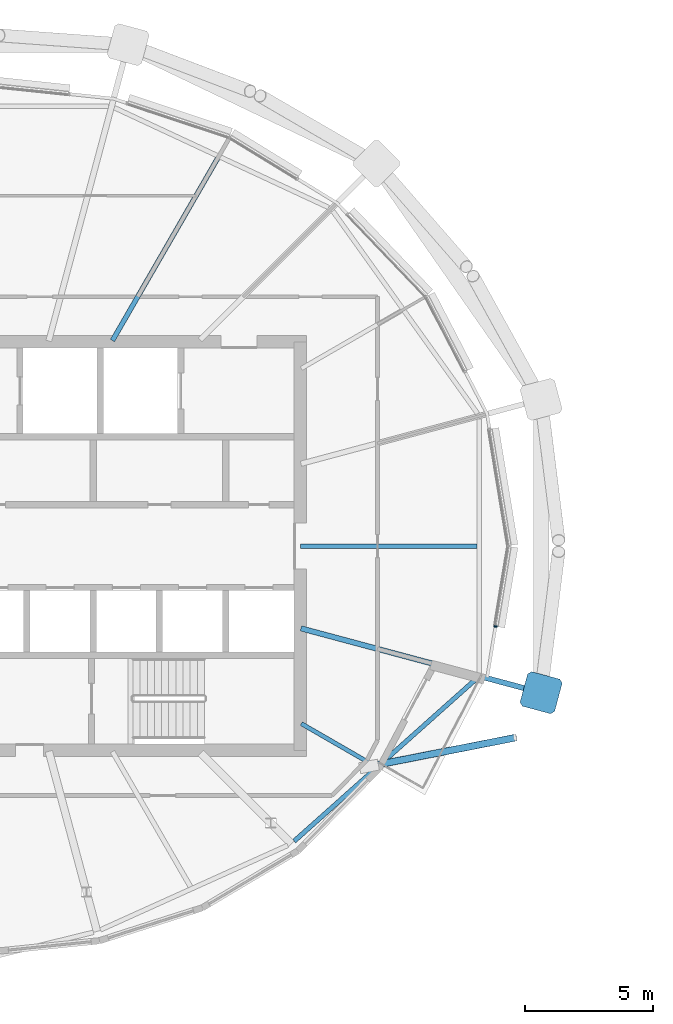
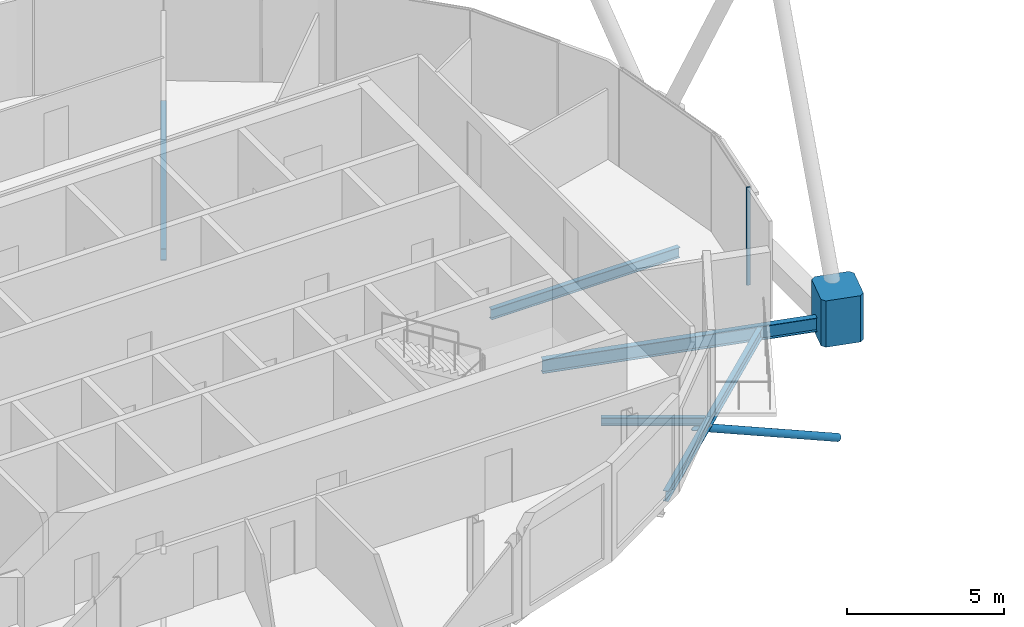
# One storey, part 6 of 31: 5 beams, 3 members, 1 element without a shape of its own.
"""IFC4 building model written with IfcOpenShell, lengths in metres."""

from ifc_helpers import new_model, si_unit, direction, frame, origin, origin_2d, place, context, subcontext, project, spatial, polyline, rectangle, hollow_circle, i_section, outline, extrude, clip, halfspace, material, material_profile, profile_set, type_object, element, aggregate, save


model = new_model("IFC4")

# Units and contexts
model_context = context("Model", 3, precision=1e-05, world=origin(), true_north=direction((0.0, 1.0)))
body_context = subcontext(model_context, "Body", "Model", "MODEL_VIEW")
ifc_project = project(units=[si_unit("LENGTHUNIT", "METRE"), si_unit("AREAUNIT", "SQUARE_METRE"), si_unit("VOLUMEUNIT", "CUBIC_METRE"), si_unit("PLANEANGLEUNIT", "RADIAN"), si_unit("MASSUNIT", "GRAM", prefix="KILO")], contexts=[model_context])

# Site, building, storey
site_placement = place(None, origin())
site = spatial("IfcSite", under=ifc_project, at=site_placement, CompositionType="ELEMENT")
building_placement = place(site_placement, origin())
building = spatial("IfcBuilding", under=site, at=building_placement, Name="Rimbun Link Towers", CompositionType="ELEMENT")
storey_placement = place(building_placement, frame((0.0, 0.0, 244.699951171875)))
storey = spatial("IfcBuildingStorey", under=building, at=storey_placement, Name="L60", CompositionType="ELEMENT", Elevation=244.699951171875)

# Curtain wall, member
ifc_material_1 = material(Name="Aluminium 6063-T6 and low-iron glass", Category="aluminium")
curtain_wall_type = type_object("IfcCurtainWallType", Name="CW1-Z4 unitised vision wall (zone 4)", PredefinedType="NOTDEFINED", material=ifc_material_1)
curtain_wall_placement = place(storey_placement, origin())
curtain_wall = element("IfcCurtainWall", 1, at=curtain_wall_placement, inside=storey, type_object=curtain_wall_type, Name="CW1 L60 T1", PredefinedType="NOTDEFINED")
ifc_material_2 = material(Name="Aluminium 6063-T6", Category="aluminium")
ifc_material_profile_1 = material_profile(ifc_material_2, rectangle(XDim=0.1201171875, YDim=0.06005859375, at=origin_2d()), Name="MULLION 60X120")
ifc_profile_set_1 = profile_set([ifc_material_profile_1], Name="Aluminium 6063-T6")
member_type_1 = type_object("IfcMemberType", Name="CW1 mullion 60X120", PredefinedType="MULLION", material=ifc_profile_set_1)
member_1_placement = place(storey_placement, frame((-12.09912109375, -3.1474609375, 0.0), z_axis=(0.0, 0.0, 1.0), x_axis=(0.986747677327, -0.162262199201, 0.0)))
member_1 = element("IfcMember", 2, at=member_1_placement, type_object=member_type_1, Name="CW1 mullion", PredefinedType="MULLION", context=body_context, shape_type="SweptSolid", body=[
    extrude(rectangle(XDim=0.1201171875, YDim=0.06005859375, at=origin_2d()), origin(), (0.0, 0.0, 1.0), 3.800048828125),
])
aggregate(curtain_wall, [member_1])

# Members
ifc_material_3 = material(Name="Cast steel G20Mn5+QT, Rp0.2 300 MPa", Category="steel")
ifc_material_profile_2 = material_profile(ifc_material_3, outline(polyline([(0.699951171875, -0.570068359375), (0.699951171875, 0.570068359375), (0.570068359375, 0.699951171875), (-0.570068359375, 0.699951171875), (-0.699951171875, 0.570068359375), (-0.699951171875, -0.570068359375), (-0.570068359375, -0.699951171875), (0.570068359375, -0.699951171875), (0.699951171875, -0.570068359375)])), Name="NODE 1400x1400")
ifc_profile_set_2 = profile_set([ifc_material_profile_2], Name="Cast steel G20Mn5+QT, Rp0.2 300 MPa")
member_type_2 = type_object("IfcMemberType", Name="Diagrid node cast 1400", PredefinedType="USERDEFINED", material=ifc_profile_set_2)
member_2_placement = place(storey_placement, frame((-10.3173828125, -5.742919921875, -0.89990234375), z_axis=(0.0, 0.0, 1.0), x_axis=(0.965925826289, -0.258819045103, 0.0)))
element("IfcMember", 3, at=member_2_placement, inside=storey, type_object=member_type_2, Name="Diagrid node L60 23", ObjectType="Diagrid node", PredefinedType="USERDEFINED", context=body_context, shape_type="SweptSolid", body=[
    extrude(outline(polyline([(0.699951171875, -0.570068359375), (0.699951171875, 0.570068359375), (0.570068359375, 0.699951171875), (-0.570068359375, 0.699951171875), (-0.699951171875, 0.570068359375), (-0.699951171875, -0.570068359375), (-0.570068359375, -0.699951171875), (0.570068359375, -0.699951171875), (0.699951171875, -0.570068359375)])), origin(), (0.0, 0.0, 1.0), 1.800048828125),
])
ifc_material_4 = material(Name="Steel S355J2H", Category="steel")
ifc_material_profile_3 = material_profile(ifc_material_4, hollow_circle(Radius=0.136474609375, WallThickness=0.012451171875, at=origin_2d()), Name="CHS 273x12.5")
ifc_profile_set_3 = profile_set([ifc_material_profile_3], Name="Steel S355J2H")
member_type_3 = type_object("IfcMemberType", Name="Floor edge link CHS 273x12.5", PredefinedType="BRACE", material=ifc_profile_set_3)
member_3_placement = place(storey_placement, frame((-16.867919921875, -8.592041015625, -0.56494140625), z_axis=(0.867230007039, 0.17026077295, -0.467892492017), x_axis=(-0.192649454087, 0.981267643327, 0.0)))
element("IfcMember", 4, at=member_3_placement, inside=storey, type_object=member_type_3, Name="Floor edge link T1 L60 22", PredefinedType="BRACE", context=body_context, shape_type="Clipping", body=[
    clip(extrude(hollow_circle(Radius=0.136474609375, WallThickness=0.012451171875, at=origin_2d()), frame((0.0, 0.0, -0.537109375)), (0.0, 0.0, 1.0), 6.929443359375), halfspace(frame((0.0, 0.0, -0.255615234375), z_axis=(0.0, 0.88378539019, -0.467892492017)), False)),
])

# Beams
ifc_material_5 = material(Name="Steel S355J2", Category="steel")
ifc_material_profile_4 = material_profile(ifc_material_5, i_section(OverallWidth=0.1650390625, OverallDepth=0.303466796875, WebThickness=0.006103515625, FlangeThickness=0.01025390625, at=origin_2d()), Name="UB 305x165x40")
ifc_profile_set_4 = profile_set([ifc_material_profile_4], Name="Steel S355J2")
beam_type_1 = type_object("IfcBeamType", Name="UB 305x165x40", PredefinedType="BEAM", material=ifc_profile_set_4)
beam_1_placement = place(storey_placement, frame((-19.7080078125, -6.952392578125, -0.291748046875), z_axis=(0.866009739348, -0.500027130619, 0.0), x_axis=(0.500027130619, 0.866009739348, 0.0)))
element("IfcBeam", 5, at=beam_1_placement, inside=storey, type_object=beam_type_1, Name="Radial beam T1 L60 22", PredefinedType="BEAM", context=body_context, shape_type="SweptSolid", body=[
    extrude(i_section(OverallWidth=0.1650390625, OverallDepth=0.303466796875, WebThickness=0.006103515625, FlangeThickness=0.01025390625, at=origin_2d()), origin(), (0.0, 0.0, 1.0), 3.329345703125),
])
ifc_material_6 = material(Name="Steel S355J2", Category="steel")
ifc_material_profile_5 = material_profile(ifc_material_6, i_section(OverallWidth=0.177978515625, OverallDepth=0.406494140625, WebThickness=0.0078125, FlangeThickness=0.0126953125, at=origin_2d()), Name="UB 406x178x60")
ifc_profile_set_5 = profile_set([ifc_material_profile_5], Name="Steel S355J2")
beam_type_2 = type_object("IfcBeamType", Name="UB 406x178x60", PredefinedType="BEAM", material=ifc_profile_set_5)
beam_2_placement = place(storey_placement, frame((-19.7490234375, 0.0, -0.34326171875), z_axis=(1.0, 0.0, 0.0), x_axis=(0.0, 1.0, 0.0)))
element("IfcBeam", 6, at=beam_2_placement, inside=storey, type_object=beam_type_2, Name="Radial beam T1 L60 00", PredefinedType="BEAM", context=body_context, shape_type="SweptSolid", body=[
    extrude(i_section(OverallWidth=0.177978515625, OverallDepth=0.406494140625, WebThickness=0.0078125, FlangeThickness=0.0126953125, at=origin_2d()), origin(), (0.0, 0.0, 1.0), 6.921142578125),
])
beam_3_placement = place(storey_placement, frame((-19.98583984375, -11.555908203125, -0.34326171875), z_axis=(0.746426067194, 0.665468351023, 0.0), x_axis=(-0.665468351023, 0.746426067194, 0.0)))
element("IfcBeam", 7, at=beam_3_placement, inside=storey, type_object=beam_type_2, Name="Edge beam T1 L60 21-23", PredefinedType="BEAM", context=body_context, shape_type="SweptSolid", body=[
    extrude(i_section(OverallWidth=0.177978515625, OverallDepth=0.406494140625, WebThickness=0.0078125, FlangeThickness=0.0126953125, at=origin_2d()), origin(), (0.0, 0.0, 1.0), 9.583740234375),
])
ifc_material_7 = material(Name="Steel S355J2", Category="steel")
ifc_material_profile_6 = material_profile(ifc_material_7, i_section(OverallWidth=0.18994140625, OverallDepth=0.453369140625, WebThickness=0.008544921875, FlangeThickness=0.0126953125, at=origin_2d()), Name="UB 457x191x67")
ifc_profile_set_6 = profile_set([ifc_material_profile_6], Name="Steel S355J2")
beam_type_3 = type_object("IfcBeamType", Name="UB 457x191x67", PredefinedType="BEAM", material=ifc_profile_set_6)
beam_4_placement = place(storey_placement, frame((-27.103271484375, 8.04833984375, -0.36669921875), z_axis=(0.499996112969, 0.866027647951, 0.0), x_axis=(-0.866027647951, 0.499996112969, 0.0)))
element("IfcBeam", 8, at=beam_4_placement, inside=storey, type_object=beam_type_3, Name="Radial beam T1 L60 04", PredefinedType="BEAM", context=body_context, shape_type="SweptSolid", body=[
    extrude(i_section(OverallWidth=0.18994140625, OverallDepth=0.453369140625, WebThickness=0.008544921875, FlangeThickness=0.0126953125, at=origin_2d()), origin(), (0.0, 0.0, 1.0), 8.2373046875),
])
ifc_material_8 = material(Name="Steel S355J2", Category="steel")
ifc_material_profile_7 = material_profile(ifc_material_8, i_section(OverallWidth=0.209228515625, OverallDepth=0.533203125, WebThickness=0.010009765625, FlangeThickness=0.015625, at=origin_2d()), Name="UB 533x210x92")
ifc_profile_set_7 = profile_set([ifc_material_profile_7], Name="Steel S355J2")
beam_type_4 = type_object("IfcBeamType", Name="UB 533x210x92", PredefinedType="BEAM", material=ifc_profile_set_7)
beam_5_placement = place(storey_placement, frame((-19.721923828125, -3.222900390625, -0.406494140625), z_axis=(0.965928465544, -0.258809195067, 0.0), x_axis=(0.258809195067, 0.965928465544, 0.0)))
element("IfcBeam", 9, at=beam_5_placement, inside=storey, type_object=beam_type_4, Name="Radial beam T1 L60 23", PredefinedType="BEAM", context=body_context, shape_type="SweptSolid", body=[
    extrude(i_section(OverallWidth=0.209228515625, OverallDepth=0.533203125, WebThickness=0.010009765625, FlangeThickness=0.015625, at=origin_2d()), origin(), (0.0, 0.0, 1.0), 9.236083984375),
])

save(model, "model.ifc")
